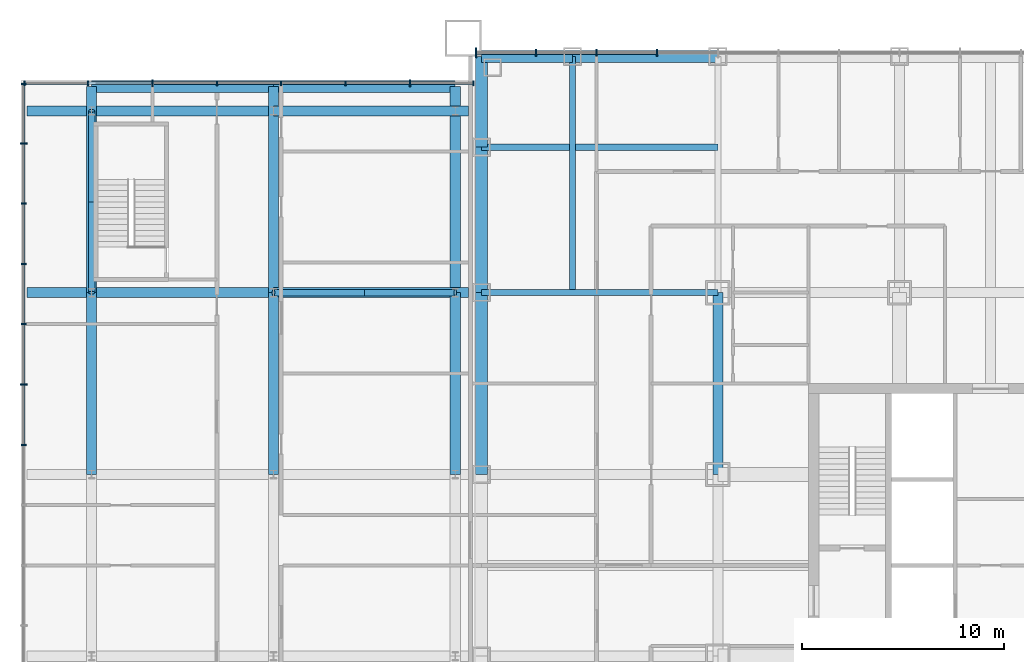
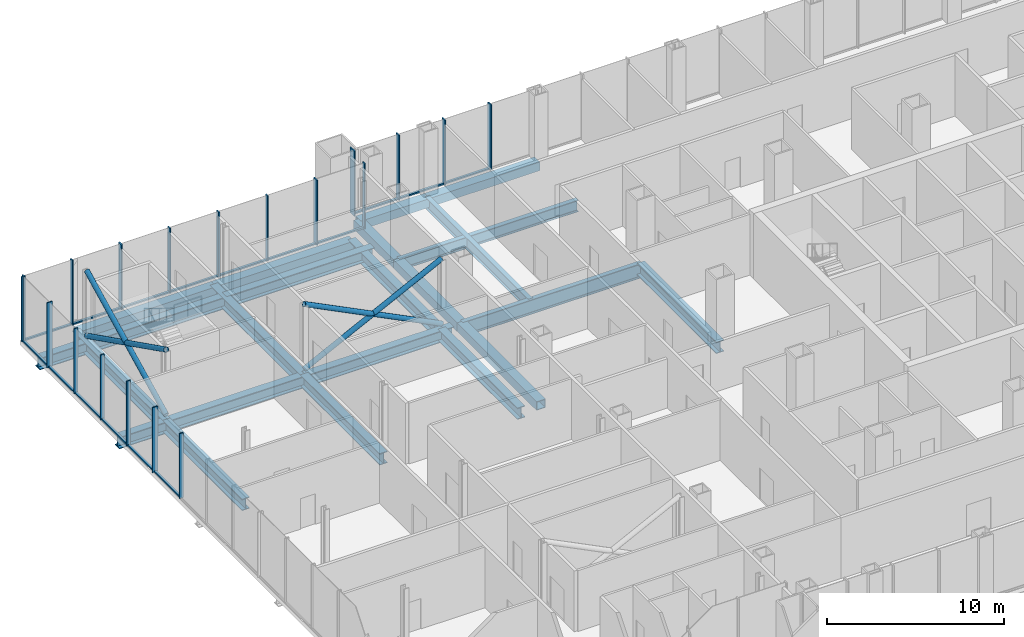
# One storey, part 8 of 25: 39 members, 21 beams, 3 elements without a shape of their own.
"""IFC4 building model written with IfcOpenShell, lengths in metres."""

from ifc_helpers import new_model, si_unit, direction, frame, origin, origin_2d, place, context, subcontext, project, spatial, rectangle, hollow_rectangle, hollow_circle, i_section, extrude, material, layer, layer_set, material_profile, profile_set, type_object, element, aggregate, save


model = new_model("IFC4")

# Units and contexts
model_context = context("Model", 3, precision=1e-05, world=origin(), true_north=direction((0.0, 1.0)))
body_context = subcontext(model_context, "Body", "Model", "MODEL_VIEW")
ifc_project = project(units=[si_unit("LENGTHUNIT", "METRE"), si_unit("AREAUNIT", "SQUARE_METRE"), si_unit("VOLUMEUNIT", "CUBIC_METRE"), si_unit("PLANEANGLEUNIT", "RADIAN"), si_unit("MASSUNIT", "GRAM", prefix="KILO")], contexts=[model_context])

# Site, building, storey
site_placement = place(None, origin())
site = spatial("IfcSite", under=ifc_project, at=site_placement, CompositionType="ELEMENT")
building_placement = place(site_placement, origin())
building = spatial("IfcBuilding", under=site, at=building_placement, Name="Malebo Sky Hospital", CompositionType="ELEMENT")
storey_placement = place(building_placement, frame((0.0, 0.0, 16.5)))
storey = spatial("IfcBuildingStorey", under=building, at=storey_placement, Name="L03", CompositionType="ELEMENT", Elevation=16.5)

# Curtain wall, members
ifc_material_1 = material(Name="Anodised aluminium, natural silver", Category="aluminium")
ifc_layer_1 = layer(ifc_material_1, 0.25)
ifc_layer_set_1 = layer_set([ifc_layer_1], Name="PODIUM CURTAIN WALL")
curtain_wall_type_1 = type_object("IfcCurtainWallType", Name="PODIUM CURTAIN WALL", PredefinedType="NOTDEFINED", material=ifc_layer_set_1)
curtain_wall_1_placement = place(storey_placement, origin())
curtain_wall_1 = element("IfcCurtainWall", 1, at=curtain_wall_1_placement, inside=storey, type_object=curtain_wall_type_1, Name="POD curtain wall WW", PredefinedType="NOTDEFINED")
ifc_material_profile_1 = material_profile(ifc_material_1, rectangle(XDim=0.14990234375, YDim=0.10009765625, at=origin_2d()), Name="ALUMINIUM TRANSOM 150x100")
ifc_profile_set_1 = profile_set([ifc_material_profile_1], Name="Anodised aluminium, natural silver")
member_type_1 = type_object("IfcMemberType", Name="ALUMINIUM TRANSOM 150x100", PredefinedType="USERDEFINED", material=ifc_profile_set_1)
member_1_placement = place(storey_placement, frame((12.125, 85.800048828125, 0.050048828125), z_axis=(0.0, -1.0, 0.0), x_axis=(1.0, 0.0, 0.0)))
member_1 = element("IfcMember", 2, at=member_1_placement, type_object=member_type_1, Name="Transom 1", ObjectType="TRANSOM", PredefinedType="USERDEFINED", context=body_context, shape_type="SweptSolid", body=[
    extrude(rectangle(XDim=0.14990234375, YDim=0.10009765625, at=origin_2d()), origin(), (0.0, 0.0, 1.0), 2.8720703125),
])
member_2_placement = place(storey_placement, frame((12.125, 82.85302734375, 0.050048828125), z_axis=(0.0, -1.0, 0.0), x_axis=(1.0, 0.0, 0.0)))
member_2 = element("IfcMember", 3, at=member_2_placement, type_object=member_type_1, Name="Transom 2", ObjectType="TRANSOM", PredefinedType="USERDEFINED", context=body_context, shape_type="SweptSolid", body=[
    extrude(rectangle(XDim=0.14990234375, YDim=0.10009765625, at=origin_2d()), origin(), (0.0, 0.0, 1.0), 2.909423828125),
])
member_3_placement = place(storey_placement, frame((12.125, 79.86865234375, 0.050048828125), z_axis=(0.0, -1.0, 0.0), x_axis=(1.0, 0.0, 0.0)))
member_3 = element("IfcMember", 4, at=member_3_placement, type_object=member_type_1, Name="Transom 3", ObjectType="TRANSOM", PredefinedType="USERDEFINED", context=body_context, shape_type="SweptSolid", body=[
    extrude(rectangle(XDim=0.14990234375, YDim=0.10009765625, at=origin_2d()), origin(), (0.0, 0.0, 1.0), 2.9091796875),
])
member_4_placement = place(storey_placement, frame((12.125, 76.884521484375, 0.050048828125), z_axis=(0.0, -1.0, 0.0), x_axis=(1.0, 0.0, 0.0)))
member_4 = element("IfcMember", 5, at=member_4_placement, type_object=member_type_1, Name="Transom 4", ObjectType="TRANSOM", PredefinedType="USERDEFINED", context=body_context, shape_type="SweptSolid", body=[
    extrude(rectangle(XDim=0.14990234375, YDim=0.10009765625, at=origin_2d()), origin(), (0.0, 0.0, 1.0), 2.909423828125),
])
member_5_placement = place(storey_placement, frame((12.125, 73.89990234375, 0.050048828125), z_axis=(0.0, -1.0, 0.0), x_axis=(1.0, 0.0, 0.0)))
member_5 = element("IfcMember", 6, at=member_5_placement, type_object=member_type_1, Name="Transom 5", ObjectType="TRANSOM", PredefinedType="USERDEFINED", context=body_context, shape_type="SweptSolid", body=[
    extrude(rectangle(XDim=0.14990234375, YDim=0.10009765625, at=origin_2d()), origin(), (0.0, 0.0, 1.0), 2.909423828125),
])
member_6_placement = place(storey_placement, frame((12.125, 70.91552734375, 0.050048828125), z_axis=(0.0, -1.0, 0.0), x_axis=(1.0, 0.0, 0.0)))
member_6 = element("IfcMember", 7, at=member_6_placement, type_object=member_type_1, Name="Transom 6", ObjectType="TRANSOM", PredefinedType="USERDEFINED", context=body_context, shape_type="SweptSolid", body=[
    extrude(rectangle(XDim=0.14990234375, YDim=0.10009765625, at=origin_2d()), origin(), (0.0, 0.0, 1.0), 2.9091796875),
])

curtain_wall_2_placement = place(storey_placement, origin())
curtain_wall_2 = element("IfcCurtainWall", 8, at=curtain_wall_2_placement, inside=storey, type_object=curtain_wall_type_1, Name="POD curtain wall WN", PredefinedType="NOTDEFINED")
member_7_placement = place(storey_placement, frame((34.375, 85.875, 0.050048828125), z_axis=(-1.0, 0.0, 0.0), x_axis=(0.0, -1.0, 0.0)))
member_7 = element("IfcMember", 9, at=member_7_placement, type_object=member_type_1, Name="Transom 1", ObjectType="TRANSOM", PredefinedType="USERDEFINED", context=body_context, shape_type="SweptSolid", body=[
    extrude(rectangle(XDim=0.14990234375, YDim=0.10009765625, at=origin_2d()), origin(), (0.0, 0.0, 1.0), 3.076904296875),
])
member_8_placement = place(storey_placement, frame((31.22314453125, 85.875, 0.050048828125), z_axis=(-1.0, 0.0, 0.0), x_axis=(0.0, -1.0, 0.0)))
member_8 = element("IfcMember", 10, at=member_8_placement, type_object=member_type_1, Name="Transom 2", ObjectType="TRANSOM", PredefinedType="USERDEFINED", context=body_context, shape_type="SweptSolid", body=[
    extrude(rectangle(XDim=0.14990234375, YDim=0.10009765625, at=origin_2d()), origin(), (0.0, 0.0, 1.0), 3.1142578125),
])
member_9_placement = place(storey_placement, frame((28.033935546875, 85.875, 0.050048828125), z_axis=(-1.0, 0.0, 0.0), x_axis=(0.0, -1.0, 0.0)))
member_9 = element("IfcMember", 11, at=member_9_placement, type_object=member_type_1, Name="Transom 3", ObjectType="TRANSOM", PredefinedType="USERDEFINED", context=body_context, shape_type="SweptSolid", body=[
    extrude(rectangle(XDim=0.14990234375, YDim=0.10009765625, at=origin_2d()), origin(), (0.0, 0.0, 1.0), 3.1142578125),
])
member_10_placement = place(storey_placement, frame((24.844482421875, 85.875, 0.050048828125), z_axis=(-1.0, 0.0, 0.0), x_axis=(0.0, -1.0, 0.0)))
member_10 = element("IfcMember", 12, at=member_10_placement, type_object=member_type_1, Name="Transom 4", ObjectType="TRANSOM", PredefinedType="USERDEFINED", context=body_context, shape_type="SweptSolid", body=[
    extrude(rectangle(XDim=0.14990234375, YDim=0.10009765625, at=origin_2d()), origin(), (0.0, 0.0, 1.0), 3.114013671875),
])
member_11_placement = place(storey_placement, frame((21.655517578125, 85.875, 0.050048828125), z_axis=(-1.0, 0.0, 0.0), x_axis=(0.0, -1.0, 0.0)))
member_11 = element("IfcMember", 13, at=member_11_placement, type_object=member_type_1, Name="Transom 5", ObjectType="TRANSOM", PredefinedType="USERDEFINED", context=body_context, shape_type="SweptSolid", body=[
    extrude(rectangle(XDim=0.14990234375, YDim=0.10009765625, at=origin_2d()), origin(), (0.0, 0.0, 1.0), 3.114501953125),
])
member_12_placement = place(storey_placement, frame((18.466064453125, 85.875, 0.050048828125), z_axis=(-1.0, 0.0, 0.0), x_axis=(0.0, -1.0, 0.0)))
member_12 = element("IfcMember", 14, at=member_12_placement, type_object=member_type_1, Name="Transom 6", ObjectType="TRANSOM", PredefinedType="USERDEFINED", context=body_context, shape_type="SweptSolid", body=[
    extrude(rectangle(XDim=0.14990234375, YDim=0.10009765625, at=origin_2d()), origin(), (0.0, 0.0, 1.0), 3.1142578125),
])
member_13_placement = place(storey_placement, frame((15.27685546875, 85.875, 0.050048828125), z_axis=(-1.0, 0.0, 0.0), x_axis=(0.0, -1.0, 0.0)))
member_13 = element("IfcMember", 15, at=member_13_placement, type_object=member_type_1, Name="Transom 7", ObjectType="TRANSOM", PredefinedType="USERDEFINED", context=body_context, shape_type="SweptSolid", body=[
    extrude(rectangle(XDim=0.14990234375, YDim=0.10009765625, at=origin_2d()), origin(), (0.0, 0.0, 1.0), 3.076904296875),
])

ifc_layer_2 = layer(ifc_material_1, 0.25)
ifc_layer_set_2 = layer_set([ifc_layer_2], Name="PODIUM ENTRANCE BAY CURTAIN WALL")
curtain_wall_type_2 = type_object("IfcCurtainWallType", Name="PODIUM ENTRANCE BAY CURTAIN WALL", PredefinedType="NOTDEFINED", material=ifc_layer_set_2)
curtain_wall_3_placement = place(storey_placement, origin())
curtain_wall_3 = element("IfcCurtainWall", 16, at=curtain_wall_3_placement, inside=storey, type_object=curtain_wall_type_2, Name="BAY curtain wall BN", PredefinedType="NOTDEFINED")
member_14_placement = place(storey_placement, frame((43.46240234375, 87.375, 0.050048828125), z_axis=(-1.0, 0.0, 0.0), x_axis=(0.0, -1.0, 0.0)))
member_14 = element("IfcMember", 17, at=member_14_placement, type_object=member_type_1, Name="Transom 15", ObjectType="TRANSOM", PredefinedType="USERDEFINED", context=body_context, shape_type="SweptSolid", body=[
    extrude(rectangle(XDim=0.14990234375, YDim=0.10009765625, at=origin_2d()), origin(), (0.0, 0.0, 1.0), 2.9248046875),
])
member_15_placement = place(storey_placement, frame((40.46240234375, 87.375, 0.050048828125), z_axis=(-1.0, 0.0, 0.0), x_axis=(0.0, -1.0, 0.0)))
member_15 = element("IfcMember", 18, at=member_15_placement, type_object=member_type_1, Name="Transom 16", ObjectType="TRANSOM", PredefinedType="USERDEFINED", context=body_context, shape_type="SweptSolid", body=[
    extrude(rectangle(XDim=0.14990234375, YDim=0.10009765625, at=origin_2d()), origin(), (0.0, 0.0, 1.0), 2.9248046875),
])
member_16_placement = place(storey_placement, frame((37.46240234375, 87.375, 0.050048828125), z_axis=(-1.0, 0.0, 0.0), x_axis=(0.0, -1.0, 0.0)))
member_16 = element("IfcMember", 19, at=member_16_placement, type_object=member_type_1, Name="Transom 17", ObjectType="TRANSOM", PredefinedType="USERDEFINED", context=body_context, shape_type="SweptSolid", body=[
    extrude(rectangle(XDim=0.14990234375, YDim=0.10009765625, at=origin_2d()), origin(), (0.0, 0.0, 1.0), 2.887451171875),
])

# Member
ifc_material_profile_2 = material_profile(ifc_material_1, rectangle(XDim=0.074951171875, YDim=0.25, at=origin_2d()), Name="CW3 ALUMINIUM FIN MULLION 75x250")
ifc_profile_set_2 = profile_set([ifc_material_profile_2], Name="Anodised aluminium, natural silver")
member_type_2 = type_object("IfcMemberType", Name="CW3 ALUMINIUM FIN MULLION 75x250", PredefinedType="MULLION", material=ifc_profile_set_2)
member_17_placement = place(storey_placement, frame((12.125, 85.83740234375, 0.0), z_axis=(0.0, 0.0, 1.0), x_axis=(0.0, -1.0, 0.0)))
member_17 = element("IfcMember", 20, at=member_17_placement, type_object=member_type_2, Name="Fin mullion 1", PredefinedType="MULLION", context=body_context, shape_type="SweptSolid", body=[
    extrude(rectangle(XDim=0.074951171875, YDim=0.25, at=origin_2d()), origin(), (0.0, 0.0, 1.0), 4.5),
])

member_18_placement = place(storey_placement, frame((12.125, 79.90625, 0.0), z_axis=(0.0, 0.0, 1.0), x_axis=(0.0, -1.0, 0.0)))
member_18 = element("IfcMember", 21, at=member_18_placement, type_object=member_type_2, Name="Fin mullion 3", PredefinedType="MULLION", context=body_context, shape_type="SweptSolid", body=[
    extrude(rectangle(XDim=0.074951171875, YDim=0.25, at=origin_2d()), origin(), (0.0, 0.0, 1.0), 4.5),
])

member_19_placement = place(storey_placement, frame((12.125, 76.921875, 0.0), z_axis=(0.0, 0.0, 1.0), x_axis=(0.0, -1.0, 0.0)))
member_19 = element("IfcMember", 22, at=member_19_placement, type_object=member_type_2, Name="Fin mullion 4", PredefinedType="MULLION", context=body_context, shape_type="SweptSolid", body=[
    extrude(rectangle(XDim=0.074951171875, YDim=0.25, at=origin_2d()), origin(), (0.0, 0.0, 1.0), 4.5),
])

member_20_placement = place(storey_placement, frame((12.125, 73.9375, 0.0), z_axis=(0.0, 0.0, 1.0), x_axis=(0.0, -1.0, 0.0)))
member_20 = element("IfcMember", 23, at=member_20_placement, type_object=member_type_2, Name="Fin mullion 5", PredefinedType="MULLION", context=body_context, shape_type="SweptSolid", body=[
    extrude(rectangle(XDim=0.074951171875, YDim=0.25, at=origin_2d()), origin(), (0.0, 0.0, 1.0), 4.5),
])

member_21_placement = place(storey_placement, frame((12.125, 67.96875, 0.0), z_axis=(0.0, 0.0, 1.0), x_axis=(0.0, -1.0, 0.0)))
member_21 = element("IfcMember", 24, at=member_21_placement, type_object=member_type_2, Name="Fin mullion 7", PredefinedType="MULLION", context=body_context, shape_type="SweptSolid", body=[
    extrude(rectangle(XDim=0.074951171875, YDim=0.25, at=origin_2d()), origin(), (0.0, 0.0, 1.0), 4.5),
])

member_22_placement = place(storey_placement, frame((34.41259765625, 85.875, 0.0), z_axis=(0.0, 0.0, 1.0), x_axis=(-1.0, 0.0, 0.0)))
member_22 = element("IfcMember", 25, at=member_22_placement, type_object=member_type_2, Name="Fin mullion 1", PredefinedType="MULLION", context=body_context, shape_type="SweptSolid", body=[
    extrude(rectangle(XDim=0.074951171875, YDim=0.25, at=origin_2d()), origin(), (0.0, 0.0, 1.0), 4.5),
])

member_23_placement = place(storey_placement, frame((28.0712890625, 85.875, 0.0), z_axis=(0.0, 0.0, 1.0), x_axis=(-1.0, 0.0, 0.0)))
member_23 = element("IfcMember", 26, at=member_23_placement, type_object=member_type_2, Name="Fin mullion 3", PredefinedType="MULLION", context=body_context, shape_type="SweptSolid", body=[
    extrude(rectangle(XDim=0.074951171875, YDim=0.25, at=origin_2d()), origin(), (0.0, 0.0, 1.0), 4.5),
])

member_24_placement = place(storey_placement, frame((24.882080078125, 85.875, 0.0), z_axis=(0.0, 0.0, 1.0), x_axis=(-1.0, 0.0, 0.0)))
member_24 = element("IfcMember", 27, at=member_24_placement, type_object=member_type_2, Name="Fin mullion 4", PredefinedType="MULLION", context=body_context, shape_type="SweptSolid", body=[
    extrude(rectangle(XDim=0.074951171875, YDim=0.25, at=origin_2d()), origin(), (0.0, 0.0, 1.0), 4.5),
])

member_25_placement = place(storey_placement, frame((21.69287109375, 85.875, 0.0), z_axis=(0.0, 0.0, 1.0), x_axis=(-1.0, 0.0, 0.0)))
member_25 = element("IfcMember", 28, at=member_25_placement, type_object=member_type_2, Name="Fin mullion 5", PredefinedType="MULLION", context=body_context, shape_type="SweptSolid", body=[
    extrude(rectangle(XDim=0.074951171875, YDim=0.25, at=origin_2d()), origin(), (0.0, 0.0, 1.0), 4.5),
])

member_26_placement = place(storey_placement, frame((15.314208984375, 85.875, 0.0), z_axis=(0.0, 0.0, 1.0), x_axis=(-1.0, 0.0, 0.0)))
member_26 = element("IfcMember", 29, at=member_26_placement, type_object=member_type_2, Name="Fin mullion 7", PredefinedType="MULLION", context=body_context, shape_type="SweptSolid", body=[
    extrude(rectangle(XDim=0.074951171875, YDim=0.25, at=origin_2d()), origin(), (0.0, 0.0, 1.0), 4.5),
])

member_27_placement = place(storey_placement, frame((12.16259765625, 85.875, 0.0), z_axis=(0.0, 0.0, 1.0), x_axis=(-1.0, 0.0, 0.0)))
member_27 = element("IfcMember", 30, at=member_27_placement, type_object=member_type_2, Name="Fin mullion 8", PredefinedType="MULLION", context=body_context, shape_type="SweptSolid", body=[
    extrude(rectangle(XDim=0.074951171875, YDim=0.25, at=origin_2d()), origin(), (0.0, 0.0, 1.0), 4.5),
])

ifc_material_profile_3 = material_profile(ifc_material_1, rectangle(XDim=0.074951171875, YDim=0.35009765625, at=origin_2d()), Name="CW3 ALUMINIUM FIN MULLION 75x350")
ifc_profile_set_3 = profile_set([ifc_material_profile_3], Name="Anodised aluminium, natural silver")
member_type_3 = type_object("IfcMemberType", Name="CW3 ALUMINIUM FIN MULLION 75x350", PredefinedType="MULLION", material=ifc_profile_set_3)
member_28_placement = place(storey_placement, frame((12.125, 82.890625, 0.0), z_axis=(0.0, 0.0, 1.0), x_axis=(0.0, -1.0, 0.0)))
member_28 = element("IfcMember", 31, at=member_28_placement, type_object=member_type_3, Name="Fin mullion 2", PredefinedType="MULLION", context=body_context, shape_type="SweptSolid", body=[
    extrude(rectangle(XDim=0.074951171875, YDim=0.35009765625, at=origin_2d()), origin(), (0.0, 0.0, 1.0), 4.5),
])

member_29_placement = place(storey_placement, frame((12.125, 70.953125, 0.0), z_axis=(0.0, 0.0, 1.0), x_axis=(0.0, -1.0, 0.0)))
member_29 = element("IfcMember", 32, at=member_29_placement, type_object=member_type_3, Name="Fin mullion 6", PredefinedType="MULLION", context=body_context, shape_type="SweptSolid", body=[
    extrude(rectangle(XDim=0.074951171875, YDim=0.35009765625, at=origin_2d()), origin(), (0.0, 0.0, 1.0), 4.5),
])

aggregate(curtain_wall_1, [member_17, member_28, member_18, member_19, member_20, member_29, member_21, member_1, member_2, member_3, member_4, member_5, member_6])

member_30_placement = place(storey_placement, frame((31.2607421875, 85.875, 0.0), z_axis=(0.0, 0.0, 1.0), x_axis=(-1.0, 0.0, 0.0)))
member_30 = element("IfcMember", 33, at=member_30_placement, type_object=member_type_3, Name="Fin mullion 2", PredefinedType="MULLION", context=body_context, shape_type="SweptSolid", body=[
    extrude(rectangle(XDim=0.074951171875, YDim=0.35009765625, at=origin_2d()), origin(), (0.0, 0.0, 1.0), 4.5),
])

member_31_placement = place(storey_placement, frame((18.503662109375, 85.875, 0.0), z_axis=(0.0, 0.0, 1.0), x_axis=(-1.0, 0.0, 0.0)))
member_31 = element("IfcMember", 34, at=member_31_placement, type_object=member_type_3, Name="Fin mullion 6", PredefinedType="MULLION", context=body_context, shape_type="SweptSolid", body=[
    extrude(rectangle(XDim=0.074951171875, YDim=0.35009765625, at=origin_2d()), origin(), (0.0, 0.0, 1.0), 4.5),
])

aggregate(curtain_wall_2, [member_22, member_30, member_23, member_24, member_25, member_31, member_26, member_27, member_7, member_8, member_9, member_10, member_11, member_12, member_13])

ifc_material_profile_4 = material_profile(ifc_material_1, rectangle(XDim=0.074951171875, YDim=0.35009765625, at=origin_2d()), Name="CW4 ALUMINIUM FIN MULLION 75x350")
ifc_profile_set_4 = profile_set([ifc_material_profile_4], Name="Anodised aluminium, natural silver")
member_type_4 = type_object("IfcMemberType", Name="CW4 ALUMINIUM FIN MULLION 75x350", PredefinedType="MULLION", material=ifc_profile_set_4)
member_32_placement = place(storey_placement, frame((43.5, 87.375, 0.0), z_axis=(0.0, 0.0, 1.0), x_axis=(-1.0, 0.0, 0.0)))
member_32 = element("IfcMember", 35, at=member_32_placement, type_object=member_type_4, Name="Fin mullion 15", PredefinedType="MULLION", context=body_context, shape_type="SweptSolid", body=[
    extrude(rectangle(XDim=0.074951171875, YDim=0.35009765625, at=origin_2d()), origin(), (0.0, 0.0, 1.0), 4.5),
])

member_33_placement = place(storey_placement, frame((40.5, 87.375, 0.0), z_axis=(0.0, 0.0, 1.0), x_axis=(-1.0, 0.0, 0.0)))
member_33 = element("IfcMember", 36, at=member_33_placement, type_object=member_type_4, Name="Fin mullion 16", PredefinedType="MULLION", context=body_context, shape_type="SweptSolid", body=[
    extrude(rectangle(XDim=0.074951171875, YDim=0.35009765625, at=origin_2d()), origin(), (0.0, 0.0, 1.0), 4.5),
])

member_34_placement = place(storey_placement, frame((37.5, 87.375, 0.0), z_axis=(0.0, 0.0, 1.0), x_axis=(-1.0, 0.0, 0.0)))
member_34 = element("IfcMember", 37, at=member_34_placement, type_object=member_type_4, Name="Fin mullion 17", PredefinedType="MULLION", context=body_context, shape_type="SweptSolid", body=[
    extrude(rectangle(XDim=0.074951171875, YDim=0.35009765625, at=origin_2d()), origin(), (0.0, 0.0, 1.0), 4.5),
])

ifc_material_profile_5 = material_profile(ifc_material_1, rectangle(XDim=0.074951171875, YDim=0.5, at=origin_2d()), Name="CW4 ALUMINIUM FIN MULLION 75x500")
ifc_profile_set_5 = profile_set([ifc_material_profile_5], Name="Anodised aluminium, natural silver")
member_type_5 = type_object("IfcMemberType", Name="CW4 ALUMINIUM FIN MULLION 75x500", PredefinedType="MULLION", material=ifc_profile_set_5)
member_35_placement = place(storey_placement, frame((34.53759765625, 87.375, 0.0), z_axis=(0.0, 0.0, 1.0), x_axis=(-1.0, 0.0, 0.0)))
member_35 = element("IfcMember", 38, at=member_35_placement, type_object=member_type_5, Name="Fin mullion 18", PredefinedType="MULLION", context=body_context, shape_type="SweptSolid", body=[
    extrude(rectangle(XDim=0.074951171875, YDim=0.5, at=origin_2d()), origin(), (0.0, 0.0, 1.0), 4.5),
])

aggregate(curtain_wall_3, [member_32, member_33, member_34, member_35, member_14, member_15, member_16])

# Beams
ifc_material_2 = material(Name="Steel S460", Category="steel")
ifc_material_profile_6 = material_profile(ifc_material_2, hollow_rectangle(XDim=0.60009765625, YDim=0.60009765625, WallThickness=0.0400390625, at=origin_2d()), Name="BOX 600x600x40")
ifc_profile_set_6 = profile_set([ifc_material_profile_6], Name="Steel S460")
beam_type_1 = type_object("IfcBeamType", Name="EDGE BEAM BOX 600x600x40", PredefinedType="BEAM", material=ifc_profile_set_6)
beam_1_placement = place(storey_placement, frame((34.800048828125, 66.5, -0.60009765625), z_axis=(0.0, 1.0, 0.0), x_axis=(-1.0, 0.0, 0.0)))
element("IfcBeam", 39, at=beam_1_placement, inside=storey, type_object=beam_type_1, Name="Beam 004 L03", PredefinedType="BEAM", context=body_context, shape_type="SweptSolid", body=[
    extrude(hollow_rectangle(XDim=0.60009765625, YDim=0.60009765625, WallThickness=0.0400390625, at=origin_2d()), origin(), (0.0, 0.0, 1.0), 9.0),
])
beam_2_placement = place(storey_placement, frame((34.800048828125, 75.5, -0.60009765625), z_axis=(0.0, 1.0, 0.0), x_axis=(-1.0, 0.0, 0.0)))
element("IfcBeam", 40, at=beam_2_placement, inside=storey, type_object=beam_type_1, Name="Beam 005 L03", PredefinedType="BEAM", context=body_context, shape_type="SweptSolid", body=[
    extrude(hollow_rectangle(XDim=0.60009765625, YDim=0.60009765625, WallThickness=0.0400390625, at=origin_2d()), origin(), (0.0, 0.0, 1.0), 7.199951171875),
])
for number, where, z_axis, x_axis, name in (
    (41, (34.800048828125, 82.699951171875, -0.60009765625), (0.0, 1.0, 0.0), (-1.0, 0.0, 0.0), "Beam 006 L03"),
    (42, (34.800048828125, 87.199951171875, -0.60009765625), (1.0, 0.0, 0.0), (0.0, 1.0, 0.0), "Beam 069 L03"),
):
    element("IfcBeam", number, at=place(storey_placement, frame(where, z_axis=z_axis, x_axis=x_axis)), inside=storey, type_object=beam_type_1, Name=name, PredefinedType="BEAM", context=body_context, shape_type="SweptSolid", body=[
        extrude(hollow_rectangle(XDim=0.60009765625, YDim=0.60009765625, WallThickness=0.0400390625, at=origin_2d()), origin(), (0.0, 0.0, 1.0), 4.5),
    ])
beam_3_placement = place(storey_placement, frame((39.300048828125, 87.199951171875, -0.60009765625), z_axis=(1.0, 0.0, 0.0), x_axis=(0.0, 1.0, 0.0)))
element("IfcBeam", 43, at=beam_3_placement, inside=storey, type_object=beam_type_1, Name="Beam 070 L03", PredefinedType="BEAM", context=body_context, shape_type="SweptSolid", body=[
    extrude(hollow_rectangle(XDim=0.60009765625, YDim=0.60009765625, WallThickness=0.0400390625, at=origin_2d()), origin(), (0.0, 0.0, 1.0), 7.199951171875),
])
for number, where, z_axis, x_axis, name in (
    (44, (15.5, 85.699951171875, -0.60009765625), (1.0, 0.0, 0.0), (0.0, 1.0, 0.0), "Beam W030 L03"),
    (45, (24.5, 85.699951171875, -0.60009765625), (1.0, 0.0, 0.0), (0.0, 1.0, 0.0), "Beam W031 L03"),
):
    element("IfcBeam", number, at=place(storey_placement, frame(where, z_axis=z_axis, x_axis=x_axis)), inside=storey, type_object=beam_type_1, Name=name, PredefinedType="BEAM", context=body_context, shape_type="SweptSolid", body=[
        extrude(hollow_rectangle(XDim=0.60009765625, YDim=0.60009765625, WallThickness=0.0400390625, at=origin_2d()), origin(), (0.0, 0.0, 1.0), 9.0),
    ])
ifc_material_3 = material(Name="Steel S355", Category="steel")
ifc_material_profile_7 = material_profile(ifc_material_3, i_section(OverallWidth=0.300048828125, OverallDepth=0.800048828125, WebThickness=0.017578125, FlangeThickness=0.032958984375, FilletRadius=0.030029296875, at=origin_2d()), Name="HEB 800")
ifc_profile_set_7 = profile_set([ifc_material_profile_7], Name="Steel S355")
beam_type_2 = type_object("IfcBeamType", Name="FLOOR BEAM HEB 800", PredefinedType="BEAM", material=ifc_profile_set_7)
for number, where, z_axis, x_axis, name in (
    (46, (39.300048828125, 75.5, -0.699951171875), (0.0, 1.0, 0.0), (-1.0, 0.0, 0.0), "Beam 008 L03"),
    (47, (34.800048828125, 82.699951171875, -0.699951171875), (1.0, 0.0, 0.0), (0.0, 1.0, 0.0), "Beam 067 L03"),
):
    element("IfcBeam", number, at=place(storey_placement, frame(where, z_axis=z_axis, x_axis=x_axis)), inside=storey, type_object=beam_type_2, Name=name, PredefinedType="BEAM", context=body_context, shape_type="SweptSolid", body=[
        extrude(i_section(OverallWidth=0.300048828125, OverallDepth=0.800048828125, WebThickness=0.017578125, FlangeThickness=0.032958984375, FilletRadius=0.030029296875, at=origin_2d()), origin(), (0.0, 0.0, 1.0), 11.699951171875),
    ])
ifc_material_profile_8 = material_profile(ifc_material_3, i_section(OverallWidth=0.5, OverallDepth=0.800048828125, WebThickness=0.030029296875, FlangeThickness=0.050048828125, at=origin_2d()), Name="PG 800x500x30x50")
ifc_profile_set_8 = profile_set([ifc_material_profile_8], Name="Steel S355")
beam_type_3 = type_object("IfcBeamType", Name="FLOOR BEAM PG 800x500x30x50", PredefinedType="BEAM", material=ifc_profile_set_8)
for number, where, z_axis, x_axis, name in (
    (48, (46.5, 66.5, -0.699951171875), (0.0, 1.0, 0.0), (-1.0, 0.0, 0.0), "Beam 012 L03"),
    (49, (15.5, 66.5, -0.699951171875), (0.0, 1.0, 0.0), (-1.0, 0.0, 0.0), "Beam W004 L03"),
):
    element("IfcBeam", number, at=place(storey_placement, frame(where, z_axis=z_axis, x_axis=x_axis)), inside=storey, type_object=beam_type_3, Name=name, PredefinedType="BEAM", context=body_context, shape_type="SweptSolid", body=[
        extrude(i_section(OverallWidth=0.5, OverallDepth=0.800048828125, WebThickness=0.030029296875, FlangeThickness=0.050048828125, at=origin_2d()), origin(), (0.0, 0.0, 1.0), 9.0),
    ])
beam_4_placement = place(storey_placement, frame((15.5, 75.5, -0.699951171875), z_axis=(0.0, 1.0, 0.0), x_axis=(-1.0, 0.0, 0.0)))
element("IfcBeam", 50, at=beam_4_placement, inside=storey, type_object=beam_type_3, Name="Beam W005 L03", PredefinedType="BEAM", context=body_context, shape_type="SweptSolid", body=[
    extrude(i_section(OverallWidth=0.5, OverallDepth=0.800048828125, WebThickness=0.030029296875, FlangeThickness=0.050048828125, at=origin_2d()), origin(), (0.0, 0.0, 1.0), 10.199951171875),
])
beam_5_placement = place(storey_placement, frame((24.5, 66.5, -0.699951171875), z_axis=(0.0, 1.0, 0.0), x_axis=(-1.0, 0.0, 0.0)))
element("IfcBeam", 51, at=beam_5_placement, inside=storey, type_object=beam_type_3, Name="Beam W009 L03", PredefinedType="BEAM", context=body_context, shape_type="SweptSolid", body=[
    extrude(i_section(OverallWidth=0.5, OverallDepth=0.800048828125, WebThickness=0.030029296875, FlangeThickness=0.050048828125, at=origin_2d()), origin(), (0.0, 0.0, 1.0), 9.0),
])
beam_6_placement = place(storey_placement, frame((24.5, 75.5, -0.699951171875), z_axis=(0.0, 1.0, 0.0), x_axis=(-1.0, 0.0, 0.0)))
element("IfcBeam", 52, at=beam_6_placement, inside=storey, type_object=beam_type_3, Name="Beam W010 L03", PredefinedType="BEAM", context=body_context, shape_type="SweptSolid", body=[
    extrude(i_section(OverallWidth=0.5, OverallDepth=0.800048828125, WebThickness=0.030029296875, FlangeThickness=0.050048828125, at=origin_2d()), origin(), (0.0, 0.0, 1.0), 10.199951171875),
])
beam_7_placement = place(storey_placement, frame((33.5, 66.5, -0.699951171875), z_axis=(0.0, 1.0, 0.0), x_axis=(-1.0, 0.0, 0.0)))
element("IfcBeam", 53, at=beam_7_placement, inside=storey, type_object=beam_type_3, Name="Beam W014 L03", PredefinedType="BEAM", context=body_context, shape_type="SweptSolid", body=[
    extrude(i_section(OverallWidth=0.5, OverallDepth=0.800048828125, WebThickness=0.030029296875, FlangeThickness=0.050048828125, at=origin_2d()), origin(), (0.0, 0.0, 1.0), 9.0),
])
beam_8_placement = place(storey_placement, frame((33.5, 75.5, -0.699951171875), z_axis=(0.0, 1.0, 0.0), x_axis=(-1.0, 0.0, 0.0)))
element("IfcBeam", 54, at=beam_8_placement, inside=storey, type_object=beam_type_3, Name="Beam W015 L03", PredefinedType="BEAM", context=body_context, shape_type="SweptSolid", body=[
    extrude(i_section(OverallWidth=0.5, OverallDepth=0.800048828125, WebThickness=0.030029296875, FlangeThickness=0.050048828125, at=origin_2d()), origin(), (0.0, 0.0, 1.0), 10.199951171875),
])
beam_9_placement = place(storey_placement, frame((12.300048828125, 75.5, -0.699951171875), z_axis=(1.0, 0.0, 0.0), x_axis=(0.0, 1.0, 0.0)))
element("IfcBeam", 55, at=beam_9_placement, inside=storey, type_object=beam_type_3, Name="Beam W024 L03", PredefinedType="BEAM", context=body_context, shape_type="SweptSolid", body=[
    extrude(i_section(OverallWidth=0.5, OverallDepth=0.800048828125, WebThickness=0.030029296875, FlangeThickness=0.050048828125, at=origin_2d()), origin(), (0.0, 0.0, 1.0), 12.199951171875),
])
beam_10_placement = place(storey_placement, frame((24.5, 75.5, -0.699951171875), z_axis=(1.0, 0.0, 0.0), x_axis=(0.0, 1.0, 0.0)))
element("IfcBeam", 56, at=beam_10_placement, inside=storey, type_object=beam_type_3, Name="Beam W025 L03", PredefinedType="BEAM", context=body_context, shape_type="SweptSolid", body=[
    extrude(i_section(OverallWidth=0.5, OverallDepth=0.800048828125, WebThickness=0.030029296875, FlangeThickness=0.050048828125, at=origin_2d()), origin(), (0.0, 0.0, 1.0), 9.64990234375),
])
beam_11_placement = place(storey_placement, frame((12.300048828125, 84.5, -0.699951171875), z_axis=(1.0, 0.0, 0.0), x_axis=(0.0, 1.0, 0.0)))
element("IfcBeam", 57, at=beam_11_placement, inside=storey, type_object=beam_type_3, Name="Beam W026 L03", PredefinedType="BEAM", context=body_context, shape_type="SweptSolid", body=[
    extrude(i_section(OverallWidth=0.5, OverallDepth=0.800048828125, WebThickness=0.030029296875, FlangeThickness=0.050048828125, at=origin_2d()), origin(), (0.0, 0.0, 1.0), 12.199951171875),
])
beam_12_placement = place(storey_placement, frame((24.5, 84.5, -0.699951171875), z_axis=(1.0, 0.0, 0.0), x_axis=(0.0, 1.0, 0.0)))
element("IfcBeam", 58, at=beam_12_placement, inside=storey, type_object=beam_type_3, Name="Beam W027 L03", PredefinedType="BEAM", context=body_context, shape_type="SweptSolid", body=[
    extrude(i_section(OverallWidth=0.5, OverallDepth=0.800048828125, WebThickness=0.030029296875, FlangeThickness=0.050048828125, at=origin_2d()), origin(), (0.0, 0.0, 1.0), 9.64990234375),
])
ifc_material_profile_9 = material_profile(ifc_material_3, i_section(OverallWidth=0.300048828125, OverallDepth=1.0, WebThickness=0.01904296875, FlangeThickness=0.035888671875, FilletRadius=0.030029296875, at=origin_2d()), Name="HEB 1000")
ifc_profile_set_9 = profile_set([ifc_material_profile_9], Name="Steel S355")
beam_type_4 = type_object("IfcBeamType", Name="FLOOR GIRDER HEB 1000", PredefinedType="BEAM", material=ifc_profile_set_9)
beam_13_placement = place(storey_placement, frame((34.800048828125, 75.5, -0.800048828125), z_axis=(1.0, 0.0, 0.0), x_axis=(0.0, 1.0, 0.0)))
element("IfcBeam", 59, at=beam_13_placement, inside=storey, type_object=beam_type_4, Name="Beam 062 L03", PredefinedType="BEAM", context=body_context, shape_type="SweptSolid", body=[
    extrude(i_section(OverallWidth=0.300048828125, OverallDepth=1.0, WebThickness=0.01904296875, FlangeThickness=0.035888671875, FilletRadius=0.030029296875, at=origin_2d()), origin(), (0.0, 0.0, 1.0), 11.699951171875),
])

# Members
ifc_material_profile_10 = material_profile(ifc_material_2, hollow_circle(Radius=0.161865234375, WallThickness=0.012451171875, at=origin_2d()), Name="CHS 323.9x12.5")
ifc_profile_set_10 = profile_set([ifc_material_profile_10], Name="Steel S460")
member_type_6 = type_object("IfcMemberType", Name="WING BRACE CHS 323.9x12.5", PredefinedType="BRACE", material=ifc_profile_set_10)
for number, where, z_axis, x_axis, name in (
    (60, (15.5, 75.5, 0.0), (0.0, 0.894427191, 0.4472135955), (-1.0, 0.0, 0.0), "Wing brace W1.1 L03"),
    (61, (15.5, 84.5, 0.0), (0.0, -0.894427191, 0.4472135955), (1.0, 0.0, 0.0), "Wing brace W1.2 L03"),
    (62, (24.5, 75.5, 0.0), (0.894427191, 0.0, 0.4472135955), (0.0, 1.0, 0.0), "Wing brace W3.1 L03"),
    (63, (33.5, 75.5, 0.0), (-0.894427191, 0.0, 0.4472135955), (0.0, -1.0, 0.0), "Wing brace W3.2 L03"),
):
    element("IfcMember", number, at=place(storey_placement, frame(where, z_axis=z_axis, x_axis=x_axis)), inside=storey, type_object=member_type_6, Name=name, PredefinedType="BRACE", context=body_context, shape_type="SweptSolid", body=[
        extrude(hollow_circle(Radius=0.161865234375, WallThickness=0.012451171875, at=origin_2d()), origin(), (0.0, 0.0, 1.0), 10.062255859375),
    ])

save(model, "model.ifc")
